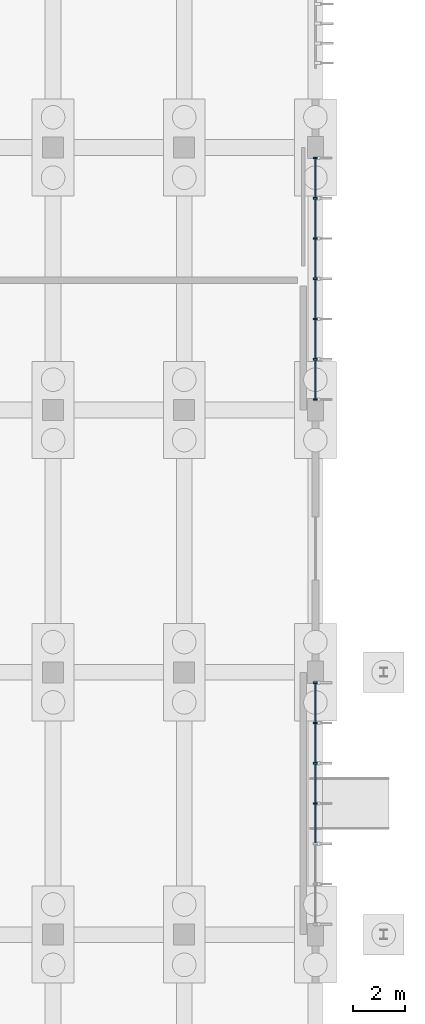
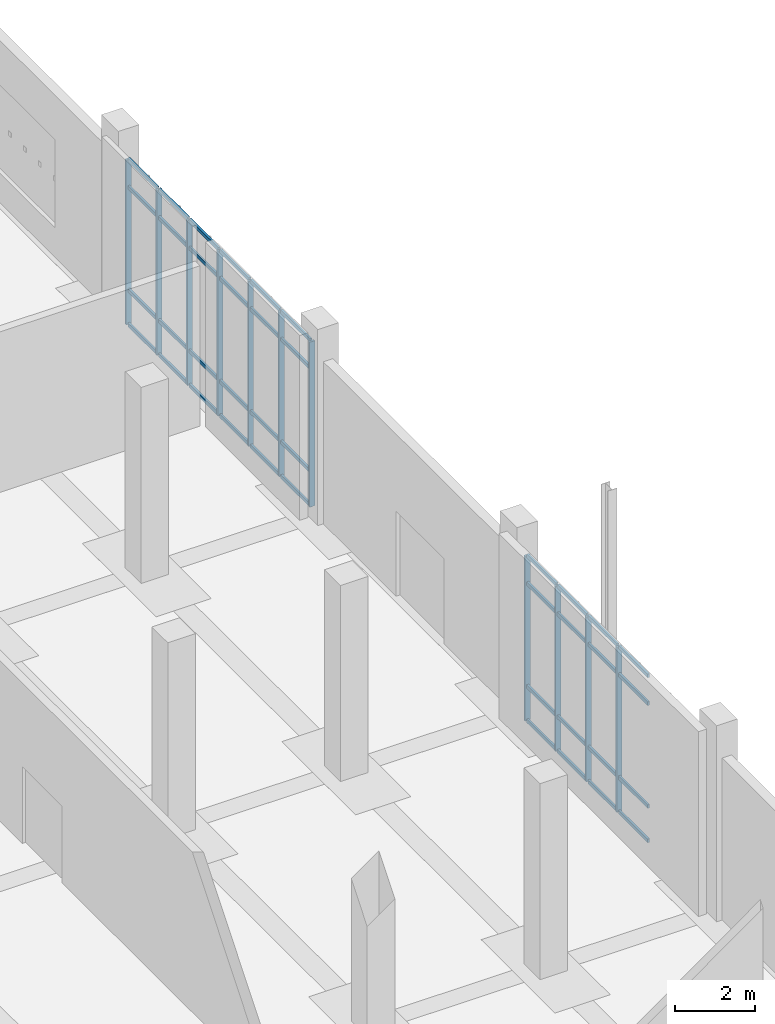
# One storey, part 52 of 140: 51 members, 2 elements without a shape of their own.
"""IFC4 building model written with IfcOpenShell, lengths in metres."""

from ifc_helpers import new_model, si_unit, direction, frame, origin, origin_2d, place, context, subcontext, project, spatial, rectangle, extrude, material, layer, layer_set, material_profile, profile_set, type_object, element, aggregate, save


model = new_model("IFC4")

# Units and contexts
model_context = context("Model", 3, precision=1e-05, world=origin(), true_north=direction((0.0, 1.0)))
body_context = subcontext(model_context, "Body", "Model", "MODEL_VIEW")
ifc_project = project(units=[si_unit("LENGTHUNIT", "METRE"), si_unit("AREAUNIT", "SQUARE_METRE"), si_unit("VOLUMEUNIT", "CUBIC_METRE"), si_unit("PLANEANGLEUNIT", "RADIAN"), si_unit("MASSUNIT", "GRAM", prefix="KILO")], contexts=[model_context])

# Site, building, storey
site_placement = place(None, origin())
site = spatial("IfcSite", under=ifc_project, at=site_placement, CompositionType="ELEMENT")
building_placement = place(site_placement, origin())
building = spatial("IfcBuilding", under=site, at=building_placement, Name="Corvandel Quay Wholesale Market", CompositionType="ELEMENT")
storey_placement = place(building_placement, origin())
storey = spatial("IfcBuildingStorey", under=building, at=storey_placement, Name="L00", CompositionType="ELEMENT", Elevation=0.0)

# Curtain wall, members
ifc_material_1 = material(Name="Bronze anodised aluminium and low-E insulated glazing", Category="aluminium")
ifc_layer_1 = layer(ifc_material_1, 0.18603515625)
ifc_layer_set_1 = layer_set([ifc_layer_1], Name="Bronze anodised aluminium and low-E insulated glazing")
curtain_wall_type_1 = type_object("IfcCurtainWallType", Name="Stick Curtain Wall System CW18 H4620", PredefinedType="NOTDEFINED", material=ifc_layer_set_1)
curtain_wall_1_placement = place(storey_placement, origin())
curtain_wall_1 = element("IfcCurtainWall", 1, at=curtain_wall_1_placement, inside=storey, type_object=curtain_wall_type_1, Name="Curtain Wall CW-0144", PredefinedType="NOTDEFINED")
ifc_material_2 = material(Name="Anodised aluminium 6063-T6", Category="aluminium")
ifc_material_profile_1 = material_profile(ifc_material_2, rectangle(XDim=0.06494140625, YDim=0.14990234375, at=origin_2d()), Name="ALU-MUL-65x150")
ifc_profile_set_1 = profile_set([ifc_material_profile_1], Name="Anodised aluminium 6063-T6")
member_type_1 = type_object("IfcMemberType", Name="Curtain Wall Mullion ML02 65x150", PredefinedType="MULLION", material=ifc_profile_set_1)
member_1_placement = place(storey_placement, frame((248.0, 65.0, 0.0), z_axis=(0.0, 0.0, 1.0), x_axis=(0.0, 1.0, 0.0)))
member_1 = element("IfcMember", 2, at=member_1_placement, type_object=member_type_1, Name="Mullion CW-0144-M03", PredefinedType="MULLION", context=body_context, shape_type="SweptSolid", body=[
    extrude(rectangle(XDim=0.06494140625, YDim=0.14990234375, at=origin_2d()), origin(), (0.0, 0.0, 1.0), 5.050048828125),
])
member_2_placement = place(storey_placement, frame((248.0, 66.533203125, 0.0), z_axis=(0.0, 0.0, 1.0), x_axis=(0.0, 1.0, 0.0)))
member_2 = element("IfcMember", 3, at=member_2_placement, type_object=member_type_1, Name="Mullion CW-0144-M04", PredefinedType="MULLION", context=body_context, shape_type="SweptSolid", body=[
    extrude(rectangle(XDim=0.06494140625, YDim=0.14990234375, at=origin_2d()), origin(), (0.0, 0.0, 1.0), 5.050048828125),
])
member_3_placement = place(storey_placement, frame((248.0, 68.066650390625, 0.0), z_axis=(0.0, 0.0, 1.0), x_axis=(0.0, 1.0, 0.0)))
member_3 = element("IfcMember", 4, at=member_3_placement, type_object=member_type_1, Name="Mullion CW-0144-M05", PredefinedType="MULLION", context=body_context, shape_type="SweptSolid", body=[
    extrude(rectangle(XDim=0.06494140625, YDim=0.14990234375, at=origin_2d()), origin(), (0.0, 0.0, 1.0), 5.050048828125),
])
member_4_placement = place(storey_placement, frame((248.0, 69.60009765625, 0.0), z_axis=(0.0, 0.0, 1.0), x_axis=(0.0, 1.0, 0.0)))
member_4 = element("IfcMember", 5, at=member_4_placement, type_object=member_type_1, Name="Mullion CW-0144-M06", PredefinedType="MULLION", context=body_context, shape_type="SweptSolid", body=[
    extrude(rectangle(XDim=0.06494140625, YDim=0.14990234375, at=origin_2d()), origin(), (0.0, 0.0, 1.0), 5.050048828125),
])

ifc_layer_2 = layer(ifc_material_1, 0.14990234375)
ifc_layer_set_2 = layer_set([ifc_layer_2], Name="Bronze anodised aluminium and low-E insulated glazing")
curtain_wall_type_2 = type_object("IfcCurtainWallType", Name="Stick Curtain Wall System CW20 H4800", PredefinedType="NOTDEFINED", material=ifc_layer_set_2)
curtain_wall_2_placement = place(storey_placement, origin())
curtain_wall_2 = element("IfcCurtainWall", 6, at=curtain_wall_2_placement, inside=storey, type_object=curtain_wall_type_2, Name="Curtain Wall CW-0145", PredefinedType="NOTDEFINED")
member_5_placement = place(storey_placement, frame((248.0, 80.39990234375, 0.0), z_axis=(0.0, 0.0, 1.0), x_axis=(0.0, 1.0, 0.0)))
member_5 = element("IfcMember", 7, at=member_5_placement, type_object=member_type_1, Name="Mullion CW-0145-M00", PredefinedType="MULLION", context=body_context, shape_type="SweptSolid", body=[
    extrude(rectangle(XDim=0.06494140625, YDim=0.14990234375, at=origin_2d()), origin(), (0.0, 0.0, 1.0), 5.050048828125),
])
member_6_placement = place(storey_placement, frame((248.0, 81.933349609375, 0.0), z_axis=(0.0, 0.0, 1.0), x_axis=(0.0, 1.0, 0.0)))
member_6 = element("IfcMember", 8, at=member_6_placement, type_object=member_type_1, Name="Mullion CW-0145-M01", PredefinedType="MULLION", context=body_context, shape_type="SweptSolid", body=[
    extrude(rectangle(XDim=0.06494140625, YDim=0.14990234375, at=origin_2d()), origin(), (0.0, 0.0, 1.0), 5.050048828125),
])
member_7_placement = place(storey_placement, frame((248.0, 83.466796875, 0.0), z_axis=(0.0, 0.0, 1.0), x_axis=(0.0, 1.0, 0.0)))
member_7 = element("IfcMember", 9, at=member_7_placement, type_object=member_type_1, Name="Mullion CW-0145-M02", PredefinedType="MULLION", context=body_context, shape_type="SweptSolid", body=[
    extrude(rectangle(XDim=0.06494140625, YDim=0.14990234375, at=origin_2d()), origin(), (0.0, 0.0, 1.0), 5.050048828125),
])
member_8_placement = place(storey_placement, frame((248.0, 85.0, 0.0), z_axis=(0.0, 0.0, 1.0), x_axis=(0.0, 1.0, 0.0)))
member_8 = element("IfcMember", 10, at=member_8_placement, type_object=member_type_1, Name="Mullion CW-0145-M03", PredefinedType="MULLION", context=body_context, shape_type="SweptSolid", body=[
    extrude(rectangle(XDim=0.06494140625, YDim=0.14990234375, at=origin_2d()), origin(), (0.0, 0.0, 1.0), 5.050048828125),
])
member_9_placement = place(storey_placement, frame((248.0, 86.533203125, 0.0), z_axis=(0.0, 0.0, 1.0), x_axis=(0.0, 1.0, 0.0)))
member_9 = element("IfcMember", 11, at=member_9_placement, type_object=member_type_1, Name="Mullion CW-0145-M04", PredefinedType="MULLION", context=body_context, shape_type="SweptSolid", body=[
    extrude(rectangle(XDim=0.06494140625, YDim=0.14990234375, at=origin_2d()), origin(), (0.0, 0.0, 1.0), 5.050048828125),
])
member_10_placement = place(storey_placement, frame((248.0, 88.066650390625, 0.0), z_axis=(0.0, 0.0, 1.0), x_axis=(0.0, 1.0, 0.0)))
member_10 = element("IfcMember", 12, at=member_10_placement, type_object=member_type_1, Name="Mullion CW-0145-M05", PredefinedType="MULLION", context=body_context, shape_type="SweptSolid", body=[
    extrude(rectangle(XDim=0.06494140625, YDim=0.14990234375, at=origin_2d()), origin(), (0.0, 0.0, 1.0), 5.050048828125),
])
member_11_placement = place(storey_placement, frame((248.0, 89.60009765625, 0.0), z_axis=(0.0, 0.0, 1.0), x_axis=(0.0, 1.0, 0.0)))
member_11 = element("IfcMember", 13, at=member_11_placement, type_object=member_type_1, Name="Mullion CW-0145-M06", PredefinedType="MULLION", context=body_context, shape_type="SweptSolid", body=[
    extrude(rectangle(XDim=0.06494140625, YDim=0.14990234375, at=origin_2d()), origin(), (0.0, 0.0, 1.0), 5.050048828125),
])

# Member
ifc_material_profile_2 = material_profile(ifc_material_2, rectangle(XDim=0.06005859375, YDim=0.110107421875, at=origin_2d()), Name="ALU-TRN-60x110")
ifc_profile_set_2 = profile_set([ifc_material_profile_2], Name="Anodised aluminium 6063-T6")
member_type_2 = type_object("IfcMemberType", Name="Curtain Wall Transom TR02 60x110", PredefinedType="USERDEFINED", material=ifc_profile_set_2)
member_12_placement = place(storey_placement, frame((248.0, 63.499267578125, 0.0), z_axis=(0.0, 1.0, 0.0), x_axis=(-1.0, 0.0, 0.0)))
member_12 = element("IfcMember", 14, at=member_12_placement, type_object=member_type_2, Name="Transom CW-0144-T02-0", ObjectType="TRANSOM", PredefinedType="USERDEFINED", context=body_context, shape_type="SweptSolid", body=[
    extrude(rectangle(XDim=0.06005859375, YDim=0.110107421875, at=origin_2d()), origin(), (0.0, 0.0, 1.0), 1.46826171875),
])

member_13_placement = place(storey_placement, frame((248.0, 63.499267578125, 1.050048828125), z_axis=(0.0, 1.0, 0.0), x_axis=(-1.0, 0.0, 0.0)))
member_13 = element("IfcMember", 15, at=member_13_placement, type_object=member_type_2, Name="Transom CW-0144-T02-1", ObjectType="TRANSOM", PredefinedType="USERDEFINED", context=body_context, shape_type="SweptSolid", body=[
    extrude(rectangle(XDim=0.06005859375, YDim=0.110107421875, at=origin_2d()), origin(), (0.0, 0.0, 1.0), 1.46826171875),
])

member_14_placement = place(storey_placement, frame((248.0, 63.499267578125, 4.199951171875), z_axis=(0.0, 1.0, 0.0), x_axis=(-1.0, 0.0, 0.0)))
member_14 = element("IfcMember", 16, at=member_14_placement, type_object=member_type_2, Name="Transom CW-0144-T02-2", ObjectType="TRANSOM", PredefinedType="USERDEFINED", context=body_context, shape_type="SweptSolid", body=[
    extrude(rectangle(XDim=0.06005859375, YDim=0.110107421875, at=origin_2d()), origin(), (0.0, 0.0, 1.0), 1.46826171875),
])

member_15_placement = place(storey_placement, frame((248.0, 63.499267578125, 5.050048828125), z_axis=(0.0, 1.0, 0.0), x_axis=(-1.0, 0.0, 0.0)))
member_15 = element("IfcMember", 17, at=member_15_placement, type_object=member_type_2, Name="Transom CW-0144-T02-3", ObjectType="TRANSOM", PredefinedType="USERDEFINED", context=body_context, shape_type="SweptSolid", body=[
    extrude(rectangle(XDim=0.06005859375, YDim=0.110107421875, at=origin_2d()), origin(), (0.0, 0.0, 1.0), 1.46826171875),
])

member_16_placement = place(storey_placement, frame((248.0, 65.032470703125, 0.0), z_axis=(0.0, 1.0, 0.0), x_axis=(-1.0, 0.0, 0.0)))
member_16 = element("IfcMember", 18, at=member_16_placement, type_object=member_type_2, Name="Transom CW-0144-T03-0", ObjectType="TRANSOM", PredefinedType="USERDEFINED", context=body_context, shape_type="SweptSolid", body=[
    extrude(rectangle(XDim=0.06005859375, YDim=0.110107421875, at=origin_2d()), origin(), (0.0, 0.0, 1.0), 1.46826171875),
])

member_17_placement = place(storey_placement, frame((248.0, 65.032470703125, 1.050048828125), z_axis=(0.0, 1.0, 0.0), x_axis=(-1.0, 0.0, 0.0)))
member_17 = element("IfcMember", 19, at=member_17_placement, type_object=member_type_2, Name="Transom CW-0144-T03-1", ObjectType="TRANSOM", PredefinedType="USERDEFINED", context=body_context, shape_type="SweptSolid", body=[
    extrude(rectangle(XDim=0.06005859375, YDim=0.110107421875, at=origin_2d()), origin(), (0.0, 0.0, 1.0), 1.46826171875),
])

member_18_placement = place(storey_placement, frame((248.0, 65.032470703125, 4.199951171875), z_axis=(0.0, 1.0, 0.0), x_axis=(-1.0, 0.0, 0.0)))
member_18 = element("IfcMember", 20, at=member_18_placement, type_object=member_type_2, Name="Transom CW-0144-T03-2", ObjectType="TRANSOM", PredefinedType="USERDEFINED", context=body_context, shape_type="SweptSolid", body=[
    extrude(rectangle(XDim=0.06005859375, YDim=0.110107421875, at=origin_2d()), origin(), (0.0, 0.0, 1.0), 1.46826171875),
])

member_19_placement = place(storey_placement, frame((248.0, 65.032470703125, 5.050048828125), z_axis=(0.0, 1.0, 0.0), x_axis=(-1.0, 0.0, 0.0)))
member_19 = element("IfcMember", 21, at=member_19_placement, type_object=member_type_2, Name="Transom CW-0144-T03-3", ObjectType="TRANSOM", PredefinedType="USERDEFINED", context=body_context, shape_type="SweptSolid", body=[
    extrude(rectangle(XDim=0.06005859375, YDim=0.110107421875, at=origin_2d()), origin(), (0.0, 0.0, 1.0), 1.46826171875),
])

member_20_placement = place(storey_placement, frame((248.0, 66.56591796875, 0.0), z_axis=(0.0, 1.0, 0.0), x_axis=(-1.0, 0.0, 0.0)))
member_20 = element("IfcMember", 22, at=member_20_placement, type_object=member_type_2, Name="Transom CW-0144-T04-0", ObjectType="TRANSOM", PredefinedType="USERDEFINED", context=body_context, shape_type="SweptSolid", body=[
    extrude(rectangle(XDim=0.06005859375, YDim=0.110107421875, at=origin_2d()), origin(), (0.0, 0.0, 1.0), 1.46826171875),
])

member_21_placement = place(storey_placement, frame((248.0, 66.56591796875, 1.050048828125), z_axis=(0.0, 1.0, 0.0), x_axis=(-1.0, 0.0, 0.0)))
member_21 = element("IfcMember", 23, at=member_21_placement, type_object=member_type_2, Name="Transom CW-0144-T04-1", ObjectType="TRANSOM", PredefinedType="USERDEFINED", context=body_context, shape_type="SweptSolid", body=[
    extrude(rectangle(XDim=0.06005859375, YDim=0.110107421875, at=origin_2d()), origin(), (0.0, 0.0, 1.0), 1.46826171875),
])

member_22_placement = place(storey_placement, frame((248.0, 66.56591796875, 4.199951171875), z_axis=(0.0, 1.0, 0.0), x_axis=(-1.0, 0.0, 0.0)))
member_22 = element("IfcMember", 24, at=member_22_placement, type_object=member_type_2, Name="Transom CW-0144-T04-2", ObjectType="TRANSOM", PredefinedType="USERDEFINED", context=body_context, shape_type="SweptSolid", body=[
    extrude(rectangle(XDim=0.06005859375, YDim=0.110107421875, at=origin_2d()), origin(), (0.0, 0.0, 1.0), 1.46826171875),
])

member_23_placement = place(storey_placement, frame((248.0, 66.56591796875, 5.050048828125), z_axis=(0.0, 1.0, 0.0), x_axis=(-1.0, 0.0, 0.0)))
member_23 = element("IfcMember", 25, at=member_23_placement, type_object=member_type_2, Name="Transom CW-0144-T04-3", ObjectType="TRANSOM", PredefinedType="USERDEFINED", context=body_context, shape_type="SweptSolid", body=[
    extrude(rectangle(XDim=0.06005859375, YDim=0.110107421875, at=origin_2d()), origin(), (0.0, 0.0, 1.0), 1.46826171875),
])

member_24_placement = place(storey_placement, frame((248.0, 68.09912109375, 0.0), z_axis=(0.0, 1.0, 0.0), x_axis=(-1.0, 0.0, 0.0)))
member_24 = element("IfcMember", 26, at=member_24_placement, type_object=member_type_2, Name="Transom CW-0144-T05-0", ObjectType="TRANSOM", PredefinedType="USERDEFINED", context=body_context, shape_type="SweptSolid", body=[
    extrude(rectangle(XDim=0.06005859375, YDim=0.110107421875, at=origin_2d()), origin(), (0.0, 0.0, 1.0), 1.46826171875),
])

member_25_placement = place(storey_placement, frame((248.0, 68.09912109375, 1.050048828125), z_axis=(0.0, 1.0, 0.0), x_axis=(-1.0, 0.0, 0.0)))
member_25 = element("IfcMember", 27, at=member_25_placement, type_object=member_type_2, Name="Transom CW-0144-T05-1", ObjectType="TRANSOM", PredefinedType="USERDEFINED", context=body_context, shape_type="SweptSolid", body=[
    extrude(rectangle(XDim=0.06005859375, YDim=0.110107421875, at=origin_2d()), origin(), (0.0, 0.0, 1.0), 1.46826171875),
])

member_26_placement = place(storey_placement, frame((248.0, 68.09912109375, 4.199951171875), z_axis=(0.0, 1.0, 0.0), x_axis=(-1.0, 0.0, 0.0)))
member_26 = element("IfcMember", 28, at=member_26_placement, type_object=member_type_2, Name="Transom CW-0144-T05-2", ObjectType="TRANSOM", PredefinedType="USERDEFINED", context=body_context, shape_type="SweptSolid", body=[
    extrude(rectangle(XDim=0.06005859375, YDim=0.110107421875, at=origin_2d()), origin(), (0.0, 0.0, 1.0), 1.46826171875),
])

member_27_placement = place(storey_placement, frame((248.0, 68.09912109375, 5.050048828125), z_axis=(0.0, 1.0, 0.0), x_axis=(-1.0, 0.0, 0.0)))
member_27 = element("IfcMember", 29, at=member_27_placement, type_object=member_type_2, Name="Transom CW-0144-T05-3", ObjectType="TRANSOM", PredefinedType="USERDEFINED", context=body_context, shape_type="SweptSolid", body=[
    extrude(rectangle(XDim=0.06005859375, YDim=0.110107421875, at=origin_2d()), origin(), (0.0, 0.0, 1.0), 1.46826171875),
])

aggregate(curtain_wall_1, [member_1, member_2, member_3, member_4, member_12, member_13, member_14, member_15, member_16, member_17, member_18, member_19, member_20, member_21, member_22, member_23, member_24, member_25, member_26, member_27])

member_28_placement = place(storey_placement, frame((248.0, 80.4326171875, 0.0), z_axis=(0.0, 1.0, 0.0), x_axis=(-1.0, 0.0, 0.0)))
member_28 = element("IfcMember", 30, at=member_28_placement, type_object=member_type_2, Name="Transom CW-0145-T00-0", ObjectType="TRANSOM", PredefinedType="USERDEFINED", context=body_context, shape_type="SweptSolid", body=[
    extrude(rectangle(XDim=0.06005859375, YDim=0.110107421875, at=origin_2d()), origin(), (0.0, 0.0, 1.0), 1.46826171875),
])

member_29_placement = place(storey_placement, frame((248.0, 80.4326171875, 1.050048828125), z_axis=(0.0, 1.0, 0.0), x_axis=(-1.0, 0.0, 0.0)))
member_29 = element("IfcMember", 31, at=member_29_placement, type_object=member_type_2, Name="Transom CW-0145-T00-1", ObjectType="TRANSOM", PredefinedType="USERDEFINED", context=body_context, shape_type="SweptSolid", body=[
    extrude(rectangle(XDim=0.06005859375, YDim=0.110107421875, at=origin_2d()), origin(), (0.0, 0.0, 1.0), 1.46826171875),
])

member_30_placement = place(storey_placement, frame((248.0, 80.4326171875, 4.199951171875), z_axis=(0.0, 1.0, 0.0), x_axis=(-1.0, 0.0, 0.0)))
member_30 = element("IfcMember", 32, at=member_30_placement, type_object=member_type_2, Name="Transom CW-0145-T00-2", ObjectType="TRANSOM", PredefinedType="USERDEFINED", context=body_context, shape_type="SweptSolid", body=[
    extrude(rectangle(XDim=0.06005859375, YDim=0.110107421875, at=origin_2d()), origin(), (0.0, 0.0, 1.0), 1.46826171875),
])

member_31_placement = place(storey_placement, frame((248.0, 80.4326171875, 5.050048828125), z_axis=(0.0, 1.0, 0.0), x_axis=(-1.0, 0.0, 0.0)))
member_31 = element("IfcMember", 33, at=member_31_placement, type_object=member_type_2, Name="Transom CW-0145-T00-3", ObjectType="TRANSOM", PredefinedType="USERDEFINED", context=body_context, shape_type="SweptSolid", body=[
    extrude(rectangle(XDim=0.06005859375, YDim=0.110107421875, at=origin_2d()), origin(), (0.0, 0.0, 1.0), 1.46826171875),
])

member_32_placement = place(storey_placement, frame((248.0, 81.9658203125, 0.0), z_axis=(0.0, 1.0, 0.0), x_axis=(-1.0, 0.0, 0.0)))
member_32 = element("IfcMember", 34, at=member_32_placement, type_object=member_type_2, Name="Transom CW-0145-T01-0", ObjectType="TRANSOM", PredefinedType="USERDEFINED", context=body_context, shape_type="SweptSolid", body=[
    extrude(rectangle(XDim=0.06005859375, YDim=0.110107421875, at=origin_2d()), origin(), (0.0, 0.0, 1.0), 1.46826171875),
])

member_33_placement = place(storey_placement, frame((248.0, 81.9658203125, 1.050048828125), z_axis=(0.0, 1.0, 0.0), x_axis=(-1.0, 0.0, 0.0)))
member_33 = element("IfcMember", 35, at=member_33_placement, type_object=member_type_2, Name="Transom CW-0145-T01-1", ObjectType="TRANSOM", PredefinedType="USERDEFINED", context=body_context, shape_type="SweptSolid", body=[
    extrude(rectangle(XDim=0.06005859375, YDim=0.110107421875, at=origin_2d()), origin(), (0.0, 0.0, 1.0), 1.46826171875),
])

member_34_placement = place(storey_placement, frame((248.0, 81.9658203125, 4.199951171875), z_axis=(0.0, 1.0, 0.0), x_axis=(-1.0, 0.0, 0.0)))
member_34 = element("IfcMember", 36, at=member_34_placement, type_object=member_type_2, Name="Transom CW-0145-T01-2", ObjectType="TRANSOM", PredefinedType="USERDEFINED", context=body_context, shape_type="SweptSolid", body=[
    extrude(rectangle(XDim=0.06005859375, YDim=0.110107421875, at=origin_2d()), origin(), (0.0, 0.0, 1.0), 1.46826171875),
])

member_35_placement = place(storey_placement, frame((248.0, 81.9658203125, 5.050048828125), z_axis=(0.0, 1.0, 0.0), x_axis=(-1.0, 0.0, 0.0)))
member_35 = element("IfcMember", 37, at=member_35_placement, type_object=member_type_2, Name="Transom CW-0145-T01-3", ObjectType="TRANSOM", PredefinedType="USERDEFINED", context=body_context, shape_type="SweptSolid", body=[
    extrude(rectangle(XDim=0.06005859375, YDim=0.110107421875, at=origin_2d()), origin(), (0.0, 0.0, 1.0), 1.46826171875),
])

member_36_placement = place(storey_placement, frame((248.0, 83.499267578125, 0.0), z_axis=(0.0, 1.0, 0.0), x_axis=(-1.0, 0.0, 0.0)))
member_36 = element("IfcMember", 38, at=member_36_placement, type_object=member_type_2, Name="Transom CW-0145-T02-0", ObjectType="TRANSOM", PredefinedType="USERDEFINED", context=body_context, shape_type="SweptSolid", body=[
    extrude(rectangle(XDim=0.06005859375, YDim=0.110107421875, at=origin_2d()), origin(), (0.0, 0.0, 1.0), 1.46826171875),
])

member_37_placement = place(storey_placement, frame((248.0, 83.499267578125, 1.050048828125), z_axis=(0.0, 1.0, 0.0), x_axis=(-1.0, 0.0, 0.0)))
member_37 = element("IfcMember", 39, at=member_37_placement, type_object=member_type_2, Name="Transom CW-0145-T02-1", ObjectType="TRANSOM", PredefinedType="USERDEFINED", context=body_context, shape_type="SweptSolid", body=[
    extrude(rectangle(XDim=0.06005859375, YDim=0.110107421875, at=origin_2d()), origin(), (0.0, 0.0, 1.0), 1.46826171875),
])

member_38_placement = place(storey_placement, frame((248.0, 83.499267578125, 4.199951171875), z_axis=(0.0, 1.0, 0.0), x_axis=(-1.0, 0.0, 0.0)))
member_38 = element("IfcMember", 40, at=member_38_placement, type_object=member_type_2, Name="Transom CW-0145-T02-2", ObjectType="TRANSOM", PredefinedType="USERDEFINED", context=body_context, shape_type="SweptSolid", body=[
    extrude(rectangle(XDim=0.06005859375, YDim=0.110107421875, at=origin_2d()), origin(), (0.0, 0.0, 1.0), 1.46826171875),
])

member_39_placement = place(storey_placement, frame((248.0, 83.499267578125, 5.050048828125), z_axis=(0.0, 1.0, 0.0), x_axis=(-1.0, 0.0, 0.0)))
member_39 = element("IfcMember", 41, at=member_39_placement, type_object=member_type_2, Name="Transom CW-0145-T02-3", ObjectType="TRANSOM", PredefinedType="USERDEFINED", context=body_context, shape_type="SweptSolid", body=[
    extrude(rectangle(XDim=0.06005859375, YDim=0.110107421875, at=origin_2d()), origin(), (0.0, 0.0, 1.0), 1.46826171875),
])

member_40_placement = place(storey_placement, frame((248.0, 85.032470703125, 0.0), z_axis=(0.0, 1.0, 0.0), x_axis=(-1.0, 0.0, 0.0)))
member_40 = element("IfcMember", 42, at=member_40_placement, type_object=member_type_2, Name="Transom CW-0145-T03-0", ObjectType="TRANSOM", PredefinedType="USERDEFINED", context=body_context, shape_type="SweptSolid", body=[
    extrude(rectangle(XDim=0.06005859375, YDim=0.110107421875, at=origin_2d()), origin(), (0.0, 0.0, 1.0), 1.46826171875),
])

member_41_placement = place(storey_placement, frame((248.0, 85.032470703125, 1.050048828125), z_axis=(0.0, 1.0, 0.0), x_axis=(-1.0, 0.0, 0.0)))
member_41 = element("IfcMember", 43, at=member_41_placement, type_object=member_type_2, Name="Transom CW-0145-T03-1", ObjectType="TRANSOM", PredefinedType="USERDEFINED", context=body_context, shape_type="SweptSolid", body=[
    extrude(rectangle(XDim=0.06005859375, YDim=0.110107421875, at=origin_2d()), origin(), (0.0, 0.0, 1.0), 1.46826171875),
])

member_42_placement = place(storey_placement, frame((248.0, 85.032470703125, 4.199951171875), z_axis=(0.0, 1.0, 0.0), x_axis=(-1.0, 0.0, 0.0)))
member_42 = element("IfcMember", 44, at=member_42_placement, type_object=member_type_2, Name="Transom CW-0145-T03-2", ObjectType="TRANSOM", PredefinedType="USERDEFINED", context=body_context, shape_type="SweptSolid", body=[
    extrude(rectangle(XDim=0.06005859375, YDim=0.110107421875, at=origin_2d()), origin(), (0.0, 0.0, 1.0), 1.46826171875),
])

member_43_placement = place(storey_placement, frame((248.0, 85.032470703125, 5.050048828125), z_axis=(0.0, 1.0, 0.0), x_axis=(-1.0, 0.0, 0.0)))
member_43 = element("IfcMember", 45, at=member_43_placement, type_object=member_type_2, Name="Transom CW-0145-T03-3", ObjectType="TRANSOM", PredefinedType="USERDEFINED", context=body_context, shape_type="SweptSolid", body=[
    extrude(rectangle(XDim=0.06005859375, YDim=0.110107421875, at=origin_2d()), origin(), (0.0, 0.0, 1.0), 1.46826171875),
])

member_44_placement = place(storey_placement, frame((248.0, 86.56591796875, 0.0), z_axis=(0.0, 1.0, 0.0), x_axis=(-1.0, 0.0, 0.0)))
member_44 = element("IfcMember", 46, at=member_44_placement, type_object=member_type_2, Name="Transom CW-0145-T04-0", ObjectType="TRANSOM", PredefinedType="USERDEFINED", context=body_context, shape_type="SweptSolid", body=[
    extrude(rectangle(XDim=0.06005859375, YDim=0.110107421875, at=origin_2d()), origin(), (0.0, 0.0, 1.0), 1.46826171875),
])

member_45_placement = place(storey_placement, frame((248.0, 86.56591796875, 1.050048828125), z_axis=(0.0, 1.0, 0.0), x_axis=(-1.0, 0.0, 0.0)))
member_45 = element("IfcMember", 47, at=member_45_placement, type_object=member_type_2, Name="Transom CW-0145-T04-1", ObjectType="TRANSOM", PredefinedType="USERDEFINED", context=body_context, shape_type="SweptSolid", body=[
    extrude(rectangle(XDim=0.06005859375, YDim=0.110107421875, at=origin_2d()), origin(), (0.0, 0.0, 1.0), 1.46826171875),
])

member_46_placement = place(storey_placement, frame((248.0, 86.56591796875, 4.199951171875), z_axis=(0.0, 1.0, 0.0), x_axis=(-1.0, 0.0, 0.0)))
member_46 = element("IfcMember", 48, at=member_46_placement, type_object=member_type_2, Name="Transom CW-0145-T04-2", ObjectType="TRANSOM", PredefinedType="USERDEFINED", context=body_context, shape_type="SweptSolid", body=[
    extrude(rectangle(XDim=0.06005859375, YDim=0.110107421875, at=origin_2d()), origin(), (0.0, 0.0, 1.0), 1.46826171875),
])

member_47_placement = place(storey_placement, frame((248.0, 86.56591796875, 5.050048828125), z_axis=(0.0, 1.0, 0.0), x_axis=(-1.0, 0.0, 0.0)))
member_47 = element("IfcMember", 49, at=member_47_placement, type_object=member_type_2, Name="Transom CW-0145-T04-3", ObjectType="TRANSOM", PredefinedType="USERDEFINED", context=body_context, shape_type="SweptSolid", body=[
    extrude(rectangle(XDim=0.06005859375, YDim=0.110107421875, at=origin_2d()), origin(), (0.0, 0.0, 1.0), 1.46826171875),
])

member_48_placement = place(storey_placement, frame((248.0, 88.09912109375, 0.0), z_axis=(0.0, 1.0, 0.0), x_axis=(-1.0, 0.0, 0.0)))
member_48 = element("IfcMember", 50, at=member_48_placement, type_object=member_type_2, Name="Transom CW-0145-T05-0", ObjectType="TRANSOM", PredefinedType="USERDEFINED", context=body_context, shape_type="SweptSolid", body=[
    extrude(rectangle(XDim=0.06005859375, YDim=0.110107421875, at=origin_2d()), origin(), (0.0, 0.0, 1.0), 1.46826171875),
])

member_49_placement = place(storey_placement, frame((248.0, 88.09912109375, 1.050048828125), z_axis=(0.0, 1.0, 0.0), x_axis=(-1.0, 0.0, 0.0)))
member_49 = element("IfcMember", 51, at=member_49_placement, type_object=member_type_2, Name="Transom CW-0145-T05-1", ObjectType="TRANSOM", PredefinedType="USERDEFINED", context=body_context, shape_type="SweptSolid", body=[
    extrude(rectangle(XDim=0.06005859375, YDim=0.110107421875, at=origin_2d()), origin(), (0.0, 0.0, 1.0), 1.46826171875),
])

member_50_placement = place(storey_placement, frame((248.0, 88.09912109375, 4.199951171875), z_axis=(0.0, 1.0, 0.0), x_axis=(-1.0, 0.0, 0.0)))
member_50 = element("IfcMember", 52, at=member_50_placement, type_object=member_type_2, Name="Transom CW-0145-T05-2", ObjectType="TRANSOM", PredefinedType="USERDEFINED", context=body_context, shape_type="SweptSolid", body=[
    extrude(rectangle(XDim=0.06005859375, YDim=0.110107421875, at=origin_2d()), origin(), (0.0, 0.0, 1.0), 1.46826171875),
])

member_51_placement = place(storey_placement, frame((248.0, 88.09912109375, 5.050048828125), z_axis=(0.0, 1.0, 0.0), x_axis=(-1.0, 0.0, 0.0)))
member_51 = element("IfcMember", 53, at=member_51_placement, type_object=member_type_2, Name="Transom CW-0145-T05-3", ObjectType="TRANSOM", PredefinedType="USERDEFINED", context=body_context, shape_type="SweptSolid", body=[
    extrude(rectangle(XDim=0.06005859375, YDim=0.110107421875, at=origin_2d()), origin(), (0.0, 0.0, 1.0), 1.46826171875),
])

aggregate(curtain_wall_2, [member_5, member_6, member_7, member_8, member_9, member_10, member_11, member_28, member_29, member_30, member_31, member_32, member_33, member_34, member_35, member_36, member_37, member_38, member_39, member_40, member_41, member_42, member_43, member_44, member_45, member_46, member_47, member_48, member_49, member_50, member_51])

save(model, "model.ifc")
